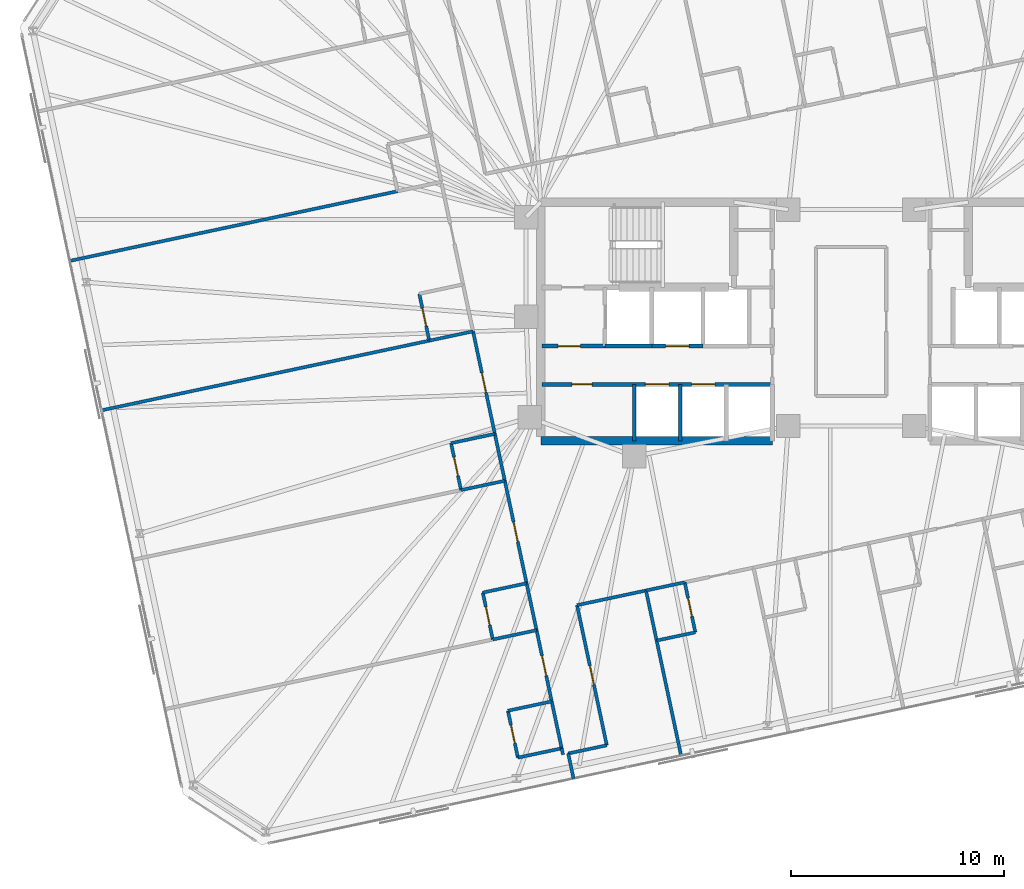
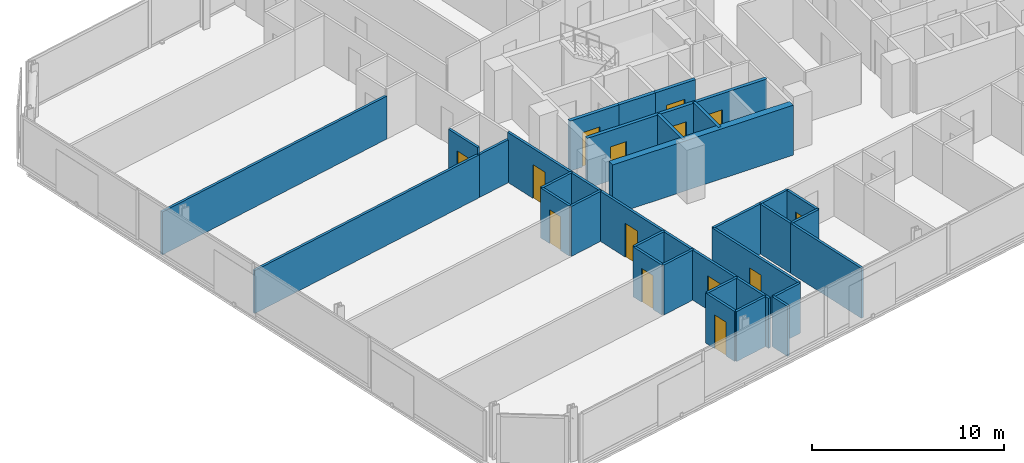
# One storey, part 14 of 20: 36 walls, 14 doors, 14 openings.
"""IFC4 building model written with IfcOpenShell, lengths in metres."""

from ifc_helpers import new_model, si_unit, direction, frame, frame_2d, origin, place, context, subcontext, project, spatial, rectangle, extrude, material, layer, layer_set, type_object, element, fill, save


model = new_model("IFC4")

# Units and contexts
model_context = context("Model", 3, precision=1e-05, world=origin(), true_north=direction((0.0, 1.0)))
body_context = subcontext(model_context, "Body", "Model", "MODEL_VIEW")
ifc_project = project(units=[si_unit("LENGTHUNIT", "METRE"), si_unit("AREAUNIT", "SQUARE_METRE"), si_unit("VOLUMEUNIT", "CUBIC_METRE"), si_unit("PLANEANGLEUNIT", "RADIAN"), si_unit("MASSUNIT", "GRAM", prefix="KILO")], contexts=[model_context])

# Site, building, storey
site_placement = place(None, origin())
site = spatial("IfcSite", under=ifc_project, at=site_placement, CompositionType="ELEMENT")
building_placement = place(site_placement, origin())
building = spatial("IfcBuilding", under=site, at=building_placement, Name="Menara Jurai Vektor", CompositionType="ELEMENT")
storey_placement = place(building_placement, frame((0.0, 0.0, 185.39990234375)))
storey = spatial("IfcBuildingStorey", under=building, at=storey_placement, Name="L48", CompositionType="ELEMENT", Elevation=185.39990234375)

# Wall, opening, door
ifc_material_1 = material(Name="Concrete C40/50", Category="concrete")
ifc_layer_1 = layer(ifc_material_1, 0.25)
ifc_layer_set_1 = layer_set([ifc_layer_1], Name="Concrete C40/50")
wall_type_1 = type_object("IfcWallType", Name="INT-WALL-CORE-250", PredefinedType="STANDARD", material=ifc_layer_set_1)
wall_1_placement = place(storey_placement, frame((-14.5, -1.14990234375, 0.0), z_axis=(0.0, 0.0, 1.0), x_axis=(1.0, 0.0, 0.0)))
wall_1 = element("IfcWall", 1, at=wall_1_placement, inside=storey, type_object=wall_type_1, Name="Interior Wall IW-250 L48", PredefinedType="STANDARD", context=body_context, shape_type="SweptSolid", body=[
    extrude(rectangle(XDim=2.949951171875, YDim=0.199951171875, at=frame_2d((1.47509765625, 0.0))), origin(), (0.0, 0.0, 1.0), 3.175048828125),
])
opening_1_placement = place(wall_1_placement, frame((0.75, 0.0, 0.0)))
opening_1 = element("IfcOpeningElement", 2, at=opening_1_placement, cuts=wall_1, Name="Opening D-L48-FFW", PredefinedType="OPENING", context=body_context, shape_type="SweptSolid", body=[
    extrude(rectangle(XDim=1.050048828125, YDim=2.179931640625, at=frame_2d((0.52490234375, 1.08984375))), frame((0.0, 0.10986328125, 0.0), z_axis=(0.0, -1.0, 0.0), x_axis=(1.0, 0.0, 0.0)), (0.0, 0.0, 1.0), 0.219970703125),
])
ifc_material_2 = material(Name="Fire-Rated Timber Door", Category="wood")
door_type_1 = type_object("IfcDoorType", Name="DR-LOBBY-1050", OperationType="NOTDEFINED", PredefinedType="DOOR", material=ifc_material_2)
door_1_placement = place(opening_1_placement, origin())
door_1 = element("IfcDoor", 3, at=door_1_placement, inside=storey, type_object=door_type_1, Name="Fire Lift Lobby Door W L48", OperationType="SINGLE_SWING_RIGHT", OverallHeight=2.179931640625, OverallWidth=1.050048828125, PredefinedType="DOOR", context=body_context, shape_type="SweptSolid", body=[
    extrude(rectangle(XDim=1.050048828125, YDim=2.179931640625, at=frame_2d((0.52490234375, 1.08984375))), frame((0.0, 0.02490234375, 0.0), z_axis=(0.0, -1.0, 0.0), x_axis=(1.0, 0.0, 0.0)), (0.0, 0.0, 1.0), 0.050048828125),
])
fill(opening_1, door_1)

# Walls
wall_2_placement = place(storey_placement, frame((-11.550048828125, -1.14990234375, 0.0), z_axis=(0.0, 0.0, 1.0), x_axis=(1.0, 0.0, 0.0)))
element("IfcWall", 4, at=wall_2_placement, inside=storey, type_object=wall_type_1, Name="Interior Wall IW-250 L48", PredefinedType="STANDARD", context=body_context, shape_type="SweptSolid", body=[
    extrude(rectangle(XDim=2.199951171875, YDim=0.199951171875, at=frame_2d((1.10009765625, 0.0))), origin(), (0.0, 0.0, 1.0), 3.175048828125),
])
ifc_material_3 = material(Name="Gypsum Fireboard Partition", Category="gypsum")
ifc_layer_2 = layer(ifc_material_3, 0.14990234375)
ifc_layer_set_2 = layer_set([ifc_layer_2], Name="Gypsum Fireboard Partition")
wall_type_2 = type_object("IfcWallType", Name="INT-WALL-CORR-150", PredefinedType="PARTITIONING", material=ifc_layer_set_2)
wall_3_placement = place(storey_placement, frame((-13.274169921875, -20.264892578125, 0.0), z_axis=(0.0, 0.0, 1.0), x_axis=(0.978160192495, 0.207852442415, 0.0)))
element("IfcWall", 5, at=wall_3_placement, inside=storey, type_object=wall_type_2, Name="Interior Wall IW-150 L48", PredefinedType="PARTITIONING", context=body_context, shape_type="SweptSolid", body=[
    extrude(rectangle(XDim=1.849853515625, YDim=0.14990234375, at=frame_2d((0.9248046875, 0.0))), origin(), (0.0, 0.0, 1.0), 3.175048828125),
])

# Wall, opening, door
wall_4_placement = place(storey_placement, frame((-11.464599609375, -19.88037109375, 0.0), z_axis=(0.0, 0.0, 1.0), x_axis=(-0.207916109912, 0.978146661416, 0.0)))
wall_4 = element("IfcWall", 6, at=wall_4_placement, inside=storey, type_object=wall_type_2, Name="Interior Wall IW-150 L48", PredefinedType="PARTITIONING", context=body_context, shape_type="SweptSolid", body=[
    extrude(rectangle(XDim=6.72021484375, YDim=0.14990234375, at=frame_2d((3.360107421875, 0.0))), origin(), (0.0, 0.0, 1.0), 3.175048828125),
])
opening_2_placement = place(wall_4_placement, frame((2.89990234375, 0.0, 0.0)))
opening_2 = element("IfcOpeningElement", 7, at=opening_2_placement, cuts=wall_4, Name="Opening D48-19", PredefinedType="OPENING", context=body_context, shape_type="SweptSolid", body=[
    extrude(rectangle(XDim=0.919921875, YDim=2.14990234375, at=frame_2d((0.4599609375, 1.074951171875))), frame((0.0, 0.0849609375, 0.0), z_axis=(0.0, -1.0, 0.0), x_axis=(1.0, 0.0, 0.0)), (0.0, 0.0, 1.0), 0.169921875),
])
ifc_material_4 = material(Name="Solid Core Timber Fire Door", Category="wood")
door_type_2 = type_object("IfcDoorType", Name="DR-ENTRY-950", OperationType="NOTDEFINED", PredefinedType="DOOR", material=ifc_material_4)
door_2_placement = place(opening_2_placement, origin())
door_2 = element("IfcDoor", 8, at=door_2_placement, inside=storey, type_object=door_type_2, Name="Interior Door D48-19", OperationType="SINGLE_SWING_RIGHT", OverallHeight=2.14990234375, OverallWidth=0.919921875, PredefinedType="DOOR", context=body_context, shape_type="SweptSolid", body=[
    extrude(rectangle(XDim=0.919921875, YDim=2.14990234375, at=frame_2d((0.4599609375, 1.074951171875))), frame((0.0, 0.02490234375, 0.0), z_axis=(0.0, -1.0, 0.0), x_axis=(1.0, 0.0, 0.0)), (0.0, 0.0, 1.0), 0.050048828125),
])
fill(opening_2, door_2)

# Walls
wall_5_placement = place(storey_placement, frame((-12.86181640625, -13.30712890625, 0.0), z_axis=(0.0, 0.0, 1.0), x_axis=(0.978148724447, 0.207906404095, 0.0)))
element("IfcWall", 9, at=wall_5_placement, inside=storey, type_object=wall_type_2, Name="Interior Wall IW-150 L48", PredefinedType="PARTITIONING", context=body_context, shape_type="SweptSolid", body=[
    extrude(rectangle(XDim=3.30908203125, YDim=0.14990234375, at=frame_2d((1.654541015625, 0.0))), origin(), (0.0, 0.0, 1.0), 3.175048828125),
])
wall_6_placement = place(storey_placement, frame((-9.625, -12.619140625, 0.0), z_axis=(0.0, 0.0, 1.0), x_axis=(0.978132112624, 0.207984543303, 0.0)))
element("IfcWall", 10, at=wall_6_placement, inside=storey, type_object=wall_type_2, Name="Interior Wall IW-150 L48", PredefinedType="PARTITIONING", context=body_context, shape_type="SweptSolid", body=[
    extrude(rectangle(XDim=1.85693359375, YDim=0.14990234375, at=frame_2d((0.928466796875, 0.0))), origin(), (0.0, 0.0, 1.0), 3.175048828125),
])
wall_7_placement = place(storey_placement, frame((-13.518798828125, -20.31689453125, 0.0), z_axis=(0.0, 0.0, 1.0), x_axis=(-0.207527808066, 0.978229118806, 0.0)))
element("IfcWall", 11, at=wall_7_placement, inside=storey, type_object=wall_type_2, Name="Interior Wall IW-150 L48", PredefinedType="PARTITIONING", context=body_context, shape_type="SweptSolid", body=[
    extrude(rectangle(XDim=0.300048828125, YDim=0.14990234375, at=frame_2d((0.14990234375, 0.0))), origin(), (0.0, 0.0, 1.0), 3.175048828125),
])

# Wall, opening, door
wall_8_placement = place(storey_placement, frame((-14.048828125, -17.822509765625, 0.0), z_axis=(0.0, 0.0, 1.0), x_axis=(-0.207918572776, 0.978146137903, 0.0)))
wall_8 = element("IfcWall", 12, at=wall_8_placement, inside=storey, type_object=wall_type_2, Name="Interior Wall IW-150 L48", PredefinedType="PARTITIONING", context=body_context, shape_type="SweptSolid", body=[
    extrude(rectangle(XDim=3.4169921875, YDim=0.14990234375, at=frame_2d((1.70849609375, 0.0))), origin(), (0.0, 0.0, 1.0), 3.175048828125),
])
opening_3_placement = place(wall_8_placement, frame((1.2333984375, 0.0, 0.0)))
opening_3 = element("IfcOpeningElement", 13, at=opening_3_placement, cuts=wall_8, Name="Opening D48-30", PredefinedType="OPENING", context=body_context, shape_type="SweptSolid", body=[
    extrude(rectangle(XDim=0.949951171875, YDim=2.14990234375, at=frame_2d((0.47509765625, 1.074951171875))), frame((0.0, 0.0849609375, 0.0), z_axis=(0.0, -1.0, 0.0), x_axis=(1.0, 0.0, 0.0)), (0.0, 0.0, 1.0), 0.169921875),
])
door_3_placement = place(opening_3_placement, origin())
door_3 = element("IfcDoor", 14, at=door_3_placement, inside=storey, type_object=door_type_2, Name="Interior Door D48-30", OperationType="SINGLE_SWING_LEFT", OverallHeight=2.14990234375, OverallWidth=0.949951171875, PredefinedType="DOOR", context=body_context, shape_type="SweptSolid", body=[
    extrude(rectangle(XDim=0.949951171875, YDim=2.14990234375, at=frame_2d((0.47509765625, 1.074951171875))), frame((0.0, 0.02490234375, 0.0), z_axis=(0.0, -1.0, 0.0), x_axis=(1.0, 0.0, 0.0)), (0.0, 0.0, 1.0), 0.050048828125),
])
fill(opening_3, door_3)

# Wall
wall_9_placement = place(storey_placement, frame((-13.5810546875, -20.0234375, 0.0), z_axis=(0.0, 0.0, 1.0), x_axis=(-0.207891197838, 0.978151956427, 0.0)))
element("IfcWall", 15, at=wall_9_placement, inside=storey, type_object=wall_type_2, Name="Interior Wall IW-150 L48", PredefinedType="PARTITIONING", context=body_context, shape_type="SweptSolid", body=[
    extrude(rectangle(XDim=2.25, YDim=0.14990234375, at=frame_2d((1.125, 0.0))), origin(), (0.0, 0.0, 1.0), 3.175048828125),
])

# Wall, opening, door
wall_10_placement = place(storey_placement, frame((-15.22705078125, -12.279296875, 0.0), z_axis=(0.0, 0.0, 1.0), x_axis=(-0.20794488256, 0.978140545023, 0.0)))
wall_10 = element("IfcWall", 16, at=wall_10_placement, inside=storey, type_object=wall_type_2, Name="Interior Wall IW-150 L48", PredefinedType="PARTITIONING", context=body_context, shape_type="SweptSolid", body=[
    extrude(rectangle(XDim=4.915771484375, YDim=0.14990234375, at=frame_2d((2.4580078125, 0.0))), origin(), (0.0, 0.0, 1.0), 3.175048828125),
])
opening_4_placement = place(wall_10_placement, frame((1.98291015625, 0.0, 0.0)))
opening_4 = element("IfcOpeningElement", 17, at=opening_4_placement, cuts=wall_10, Name="Opening D48-32", PredefinedType="OPENING", context=body_context, shape_type="SweptSolid", body=[
    extrude(rectangle(XDim=0.949951171875, YDim=2.14990234375, at=frame_2d((0.47509765625, 1.074951171875))), frame((0.0, 0.0849609375, 0.0), z_axis=(0.0, -1.0, 0.0), x_axis=(1.0, 0.0, 0.0)), (0.0, 0.0, 1.0), 0.169921875),
])
door_4_placement = place(opening_4_placement, origin())
door_4 = element("IfcDoor", 18, at=door_4_placement, inside=storey, type_object=door_type_2, Name="Interior Door D48-32", OperationType="SINGLE_SWING_LEFT", OverallHeight=2.14990234375, OverallWidth=0.949951171875, PredefinedType="DOOR", context=body_context, shape_type="SweptSolid", body=[
    extrude(rectangle(XDim=0.949951171875, YDim=2.14990234375, at=frame_2d((0.47509765625, 1.074951171875))), frame((0.0, 0.02490234375, 0.0), z_axis=(0.0, -1.0, 0.0), x_axis=(1.0, 0.0, 0.0)), (0.0, 0.0, 1.0), 0.050048828125),
])
fill(opening_4, door_4)

# Wall
wall_11_placement = place(storey_placement, frame((-14.75927734375, -14.480224609375, 0.0), z_axis=(0.0, 0.0, 1.0), x_axis=(-0.207891197838, 0.978151956427, 0.0)))
element("IfcWall", 19, at=wall_11_placement, inside=storey, type_object=wall_type_2, Name="Interior Wall IW-150 L48", PredefinedType="PARTITIONING", context=body_context, shape_type="SweptSolid", body=[
    extrude(rectangle(XDim=2.25, YDim=0.14990234375, at=frame_2d((1.125, 0.0))), origin(), (0.0, 0.0, 1.0), 3.175048828125),
])

# Wall, opening, door
wall_12_placement = place(storey_placement, frame((-16.717041015625, -5.27001953125, 0.0), z_axis=(0.0, 0.0, 1.0), x_axis=(-0.207894386012, 0.978151278824, 0.0)))
wall_12 = element("IfcWall", 20, at=wall_12_placement, inside=storey, type_object=wall_type_2, Name="Interior Wall IW-150 L48", PredefinedType="PARTITIONING", context=body_context, shape_type="SweptSolid", body=[
    extrude(rectangle(XDim=4.9169921875, YDim=0.14990234375, at=frame_2d((2.45849609375, 0.0))), origin(), (0.0, 0.0, 1.0), 3.175048828125),
])
opening_5_placement = place(wall_12_placement, frame((1.9833984375, 0.0, 0.0)))
opening_5 = element("IfcOpeningElement", 21, at=opening_5_placement, cuts=wall_12, Name="Opening D48-34", PredefinedType="OPENING", context=body_context, shape_type="SweptSolid", body=[
    extrude(rectangle(XDim=0.949951171875, YDim=2.14990234375, at=frame_2d((0.47509765625, 1.074951171875))), frame((0.0, 0.0849609375, 0.0), z_axis=(0.0, -1.0, 0.0), x_axis=(1.0, 0.0, 0.0)), (0.0, 0.0, 1.0), 0.169921875),
])
door_5_placement = place(opening_5_placement, origin())
door_5 = element("IfcDoor", 22, at=door_5_placement, inside=storey, type_object=door_type_2, Name="Interior Door D48-34", OperationType="SINGLE_SWING_LEFT", OverallHeight=2.14990234375, OverallWidth=0.949951171875, PredefinedType="DOOR", context=body_context, shape_type="SweptSolid", body=[
    extrude(rectangle(XDim=0.949951171875, YDim=2.14990234375, at=frame_2d((0.47509765625, 1.074951171875))), frame((0.0, 0.02490234375, 0.0), z_axis=(0.0, -1.0, 0.0), x_axis=(1.0, 0.0, 0.0)), (0.0, 0.0, 1.0), 0.050048828125),
])
fill(opening_5, door_5)

# Walls
wall_13_placement = place(storey_placement, frame((-16.249267578125, -7.470947265625, 0.0), z_axis=(0.0, 0.0, 1.0), x_axis=(-0.207891197838, 0.978151956427, 0.0)))
element("IfcWall", 23, at=wall_13_placement, inside=storey, type_object=wall_type_2, Name="Interior Wall IW-150 L48", PredefinedType="PARTITIONING", context=body_context, shape_type="SweptSolid", body=[
    extrude(rectangle(XDim=2.25, YDim=0.14990234375, at=frame_2d((1.125, 0.0))), origin(), (0.0, 0.0, 1.0), 3.175048828125),
])
wall_14_placement = place(storey_placement, frame((-7.978515625, -20.3662109375, 0.0), z_axis=(0.0, 0.0, 1.0), x_axis=(-0.20791588359, 0.978146709523, 0.0)))
element("IfcWall", 24, at=wall_14_placement, inside=storey, type_object=wall_type_2, Name="Interior Wall IW-150 L48", PredefinedType="PARTITIONING", context=body_context, shape_type="SweptSolid", body=[
    extrude(rectangle(XDim=5.52001953125, YDim=0.14990234375, at=frame_2d((2.760009765625, 0.0))), origin(), (0.0, 0.0, 1.0), 3.175048828125),
])
wall_15_placement = place(storey_placement, frame((-9.126220703125, -14.966796875, 0.0), z_axis=(0.0, 0.0, 1.0), x_axis=(-0.207819824493, 0.978167123015, 0.0)))
element("IfcWall", 25, at=wall_15_placement, inside=storey, type_object=wall_type_2, Name="Interior Wall IW-150 L48", PredefinedType="PARTITIONING", context=body_context, shape_type="SweptSolid", body=[
    extrude(rectangle(XDim=2.400146484375, YDim=0.14990234375, at=frame_2d((1.2001953125, 0.0))), origin(), (0.0, 0.0, 1.0), 3.175048828125),
])
wall_16_placement = place(storey_placement, frame((-13.024658203125, -21.438720703125, 0.0), z_axis=(0.0, 0.0, 1.0), x_axis=(-0.207917150959, 0.978146440129, 0.0)))
element("IfcWall", 26, at=wall_16_placement, inside=storey, type_object=wall_type_2, Name="Interior Wall IW-150 L48", PredefinedType="PARTITIONING", context=body_context, shape_type="SweptSolid", body=[
    extrude(rectangle(XDim=1.199951171875, YDim=0.14990234375, at=frame_2d((0.60009765625, 0.0))), origin(), (0.0, 0.0, 1.0), 3.175048828125),
])
wall_17_placement = place(storey_placement, frame((-9.126220703125, -14.966796875, 0.0), z_axis=(0.0, 0.0, 1.0), x_axis=(0.978132112624, 0.207984543303, 0.0)))
element("IfcWall", 27, at=wall_17_placement, inside=storey, type_object=wall_type_2, Name="Interior Wall IW-150 L48", PredefinedType="PARTITIONING", context=body_context, shape_type="SweptSolid", body=[
    extrude(rectangle(XDim=1.85693359375, YDim=0.14990234375, at=frame_2d((0.928466796875, 0.0))), origin(), (0.0, 0.0, 1.0), 3.175048828125),
])

# Wall, opening, door
wall_18_placement = place(storey_placement, frame((-7.309814453125, -14.58056640625, 0.0), z_axis=(0.0, 0.0, 1.0), x_axis=(-0.207819824493, 0.978167123015, 0.0)))
wall_18 = element("IfcWall", 28, at=wall_18_placement, inside=storey, type_object=wall_type_2, Name="Interior Wall IW-150 L48", PredefinedType="PARTITIONING", context=body_context, shape_type="SweptSolid", body=[
    extrude(rectangle(XDim=2.400146484375, YDim=0.14990234375, at=frame_2d((1.2001953125, 0.0))), origin(), (0.0, 0.0, 1.0), 3.175048828125),
])
opening_6_placement = place(wall_18_placement, frame((0.760009765625, 0.0, 0.0)))
opening_6 = element("IfcOpeningElement", 29, at=opening_6_placement, cuts=wall_18, Name="Opening D48-21", PredefinedType="OPENING", context=body_context, shape_type="SweptSolid", body=[
    extrude(rectangle(XDim=0.8798828125, YDim=2.14990234375, at=frame_2d((0.43994140625, 1.074951171875))), frame((0.0, 0.0849609375, 0.0), z_axis=(0.0, -1.0, 0.0), x_axis=(1.0, 0.0, 0.0)), (0.0, 0.0, 1.0), 0.169921875),
])
ifc_material_5 = material(Name="Moisture-Resistant Timber Door", Category="wood")
door_type_3 = type_object("IfcDoorType", Name="DR-BATH-880", OperationType="NOTDEFINED", PredefinedType="DOOR", material=ifc_material_5)
door_6_placement = place(opening_6_placement, origin())
door_6 = element("IfcDoor", 30, at=door_6_placement, inside=storey, type_object=door_type_3, Name="Interior Door D48-21", OperationType="SINGLE_SWING_RIGHT", OverallHeight=2.14990234375, OverallWidth=0.8798828125, PredefinedType="DOOR", context=body_context, shape_type="SweptSolid", body=[
    extrude(rectangle(XDim=0.8798828125, YDim=2.14990234375, at=frame_2d((0.43994140625, 1.074951171875))), frame((0.0, 0.02490234375, 0.0), z_axis=(0.0, -1.0, 0.0), x_axis=(1.0, 0.0, 0.0)), (0.0, 0.0, 1.0), 0.050048828125),
])
fill(opening_6, door_6)

wall_19_placement = place(storey_placement, frame((-15.63525390625, -20.4599609375, 0.0), z_axis=(0.0, 0.0, 1.0), x_axis=(-0.207913264065, 0.978147266328, 0.0)))
wall_19 = element("IfcWall", 31, at=wall_19_placement, inside=storey, type_object=wall_type_2, Name="Interior Wall IW-150 L48", PredefinedType="PARTITIONING", context=body_context, shape_type="SweptSolid", body=[
    extrude(rectangle(XDim=2.249755859375, YDim=0.14990234375, at=frame_2d((1.125, 0.0))), origin(), (0.0, 0.0, 1.0), 3.175048828125),
])
opening_7_placement = place(wall_19_placement, frame((0.68505859375, 0.0, 0.0)))
opening_7 = element("IfcOpeningElement", 32, at=opening_7_placement, cuts=wall_19, Name="Opening D48-31", PredefinedType="OPENING", context=body_context, shape_type="SweptSolid", body=[
    extrude(rectangle(XDim=0.8798828125, YDim=2.14990234375, at=frame_2d((0.43994140625, 1.074951171875))), frame((0.0, 0.0849609375, 0.0), z_axis=(0.0, -1.0, 0.0), x_axis=(1.0, 0.0, 0.0)), (0.0, 0.0, 1.0), 0.169921875),
])
door_7_placement = place(opening_7_placement, origin())
door_7 = element("IfcDoor", 33, at=door_7_placement, inside=storey, type_object=door_type_3, Name="Interior Door D48-31", OperationType="SINGLE_SWING_RIGHT", OverallHeight=2.14990234375, OverallWidth=0.8798828125, PredefinedType="DOOR", context=body_context, shape_type="SweptSolid", body=[
    extrude(rectangle(XDim=0.8798828125, YDim=2.14990234375, at=frame_2d((0.43994140625, 1.074951171875))), frame((0.0, 0.02490234375, 0.0), z_axis=(0.0, -1.0, 0.0), x_axis=(1.0, 0.0, 0.0)), (0.0, 0.0, 1.0), 0.050048828125),
])
fill(opening_7, door_7)

# Walls
for number, where, z_axis, x_axis, name in (
    (34, (-15.63525390625, -20.4599609375, 0.0), (0.0, 0.0, 1.0), (0.97815826, 0.207861536591, 0.0), "Interior Wall IW-150 L48"),
    (35, (-16.10302734375, -18.25927734375, 0.0), (0.0, 0.0, 1.0), (0.978134617382, 0.207972763311, 0.0), "Interior Wall IW-150 L48"),
    (36, (-16.8134765625, -14.9169921875, 0.0), (0.0, 0.0, 1.0), (0.978134617382, 0.207972763311, 0.0), "Interior Wall IW-150 L48"),
):
    element("IfcWall", number, at=place(storey_placement, frame(where, z_axis=z_axis, x_axis=x_axis)), inside=storey, type_object=wall_type_2, Name=name, PredefinedType="PARTITIONING", context=body_context, shape_type="SweptSolid", body=[
        extrude(rectangle(XDim=2.10009765625, YDim=0.14990234375, at=frame_2d((1.050048828125, 0.0))), origin(), (0.0, 0.0, 1.0), 3.175048828125),
    ])

# Wall, opening, door
wall_20_placement = place(storey_placement, frame((-16.8134765625, -14.9169921875, 0.0), z_axis=(0.0, 0.0, 1.0), x_axis=(-0.207891197838, 0.978151956427, 0.0)))
wall_20 = element("IfcWall", 37, at=wall_20_placement, inside=storey, type_object=wall_type_2, Name="Interior Wall IW-150 L48", PredefinedType="PARTITIONING", context=body_context, shape_type="SweptSolid", body=[
    extrude(rectangle(XDim=2.25, YDim=0.14990234375, at=frame_2d((1.125, 0.0))), origin(), (0.0, 0.0, 1.0), 3.175048828125),
])
opening_8_placement = place(wall_20_placement, frame((0.68505859375, 0.0, 0.0)))
opening_8 = element("IfcOpeningElement", 38, at=opening_8_placement, cuts=wall_20, Name="Opening D48-33", PredefinedType="OPENING", context=body_context, shape_type="SweptSolid", body=[
    extrude(rectangle(XDim=0.8798828125, YDim=2.14990234375, at=frame_2d((0.43994140625, 1.074951171875))), frame((0.0, 0.0849609375, 0.0), z_axis=(0.0, -1.0, 0.0), x_axis=(1.0, 0.0, 0.0)), (0.0, 0.0, 1.0), 0.169921875),
])
door_8_placement = place(opening_8_placement, origin())
door_8 = element("IfcDoor", 39, at=door_8_placement, inside=storey, type_object=door_type_3, Name="Interior Door D48-33", OperationType="SINGLE_SWING_RIGHT", OverallHeight=2.14990234375, OverallWidth=0.8798828125, PredefinedType="DOOR", context=body_context, shape_type="SweptSolid", body=[
    extrude(rectangle(XDim=0.8798828125, YDim=2.14990234375, at=frame_2d((0.43994140625, 1.074951171875))), frame((0.0, 0.02490234375, 0.0), z_axis=(0.0, -1.0, 0.0), x_axis=(1.0, 0.0, 0.0)), (0.0, 0.0, 1.0), 0.050048828125),
])
fill(opening_8, door_8)

# Walls
wall_21_placement = place(storey_placement, frame((-17.28125, -12.716064453125, 0.0), z_axis=(0.0, 0.0, 1.0), x_axis=(0.978134617382, 0.207972763311, 0.0)))
element("IfcWall", 40, at=wall_21_placement, inside=storey, type_object=wall_type_2, Name="Interior Wall IW-150 L48", PredefinedType="PARTITIONING", context=body_context, shape_type="SweptSolid", body=[
    extrude(rectangle(XDim=2.10009765625, YDim=0.14990234375, at=frame_2d((1.050048828125, 0.0))), origin(), (0.0, 0.0, 1.0), 3.175048828125),
])
wall_22_placement = place(storey_placement, frame((-18.30322265625, -7.907470703125, 0.0), z_axis=(0.0, 0.0, 1.0), x_axis=(0.978153236239, 0.207885176084, 0.0)))
element("IfcWall", 41, at=wall_22_placement, inside=storey, type_object=wall_type_2, Name="Interior Wall IW-150 L48", PredefinedType="PARTITIONING", context=body_context, shape_type="SweptSolid", body=[
    extrude(rectangle(XDim=2.099853515625, YDim=0.14990234375, at=frame_2d((1.0498046875, 0.0))), origin(), (0.0, 0.0, 1.0), 3.175048828125),
])

# Wall, opening, door
wall_23_placement = place(storey_placement, frame((-18.30322265625, -7.907470703125, 0.0), z_axis=(0.0, 0.0, 1.0), x_axis=(-0.207891197838, 0.978151956427, 0.0)))
wall_23 = element("IfcWall", 42, at=wall_23_placement, inside=storey, type_object=wall_type_2, Name="Interior Wall IW-150 L48", PredefinedType="PARTITIONING", context=body_context, shape_type="SweptSolid", body=[
    extrude(rectangle(XDim=2.25, YDim=0.14990234375, at=frame_2d((1.125, 0.0))), origin(), (0.0, 0.0, 1.0), 3.175048828125),
])
opening_9_placement = place(wall_23_placement, frame((0.68505859375, 0.0, 0.0)))
opening_9 = element("IfcOpeningElement", 43, at=opening_9_placement, cuts=wall_23, Name="Opening D48-35", PredefinedType="OPENING", context=body_context, shape_type="SweptSolid", body=[
    extrude(rectangle(XDim=0.8798828125, YDim=2.14990234375, at=frame_2d((0.43994140625, 1.074951171875))), frame((0.0, 0.0849609375, 0.0), z_axis=(0.0, -1.0, 0.0), x_axis=(1.0, 0.0, 0.0)), (0.0, 0.0, 1.0), 0.169921875),
])
door_9_placement = place(opening_9_placement, origin())
door_9 = element("IfcDoor", 44, at=door_9_placement, inside=storey, type_object=door_type_3, Name="Interior Door D48-35", OperationType="SINGLE_SWING_RIGHT", OverallHeight=2.14990234375, OverallWidth=0.8798828125, PredefinedType="DOOR", context=body_context, shape_type="SweptSolid", body=[
    extrude(rectangle(XDim=0.8798828125, YDim=2.14990234375, at=frame_2d((0.43994140625, 1.074951171875))), frame((0.0, 0.02490234375, 0.0), z_axis=(0.0, -1.0, 0.0), x_axis=(1.0, 0.0, 0.0)), (0.0, 0.0, 1.0), 0.050048828125),
])
fill(opening_9, door_9)

# Wall
wall_24_placement = place(storey_placement, frame((-18.77099609375, -5.70654296875, 0.0), z_axis=(0.0, 0.0, 1.0), x_axis=(0.978153236239, 0.207885176084, 0.0)))
element("IfcWall", 45, at=wall_24_placement, inside=storey, type_object=wall_type_2, Name="Interior Wall IW-150 L48", PredefinedType="PARTITIONING", context=body_context, shape_type="SweptSolid", body=[
    extrude(rectangle(XDim=2.099853515625, YDim=0.14990234375, at=frame_2d((1.0498046875, 0.0))), origin(), (0.0, 0.0, 1.0), 3.175048828125),
])

# Wall, opening, door
wall_25_placement = place(storey_placement, frame((-19.79345703125, -0.897216796875, 0.0), z_axis=(0.0, 0.0, 1.0), x_axis=(-0.207891197838, 0.978151956427, 0.0)))
wall_25 = element("IfcWall", 46, at=wall_25_placement, inside=storey, type_object=wall_type_2, Name="Interior Wall IW-150 L48", PredefinedType="PARTITIONING", context=body_context, shape_type="SweptSolid", body=[
    extrude(rectangle(XDim=2.25, YDim=0.14990234375, at=frame_2d((1.125, 0.0))), origin(), (0.0, 0.0, 1.0), 3.175048828125),
])
opening_10_placement = place(wall_25_placement, frame((0.68505859375, 0.0, 0.0)))
opening_10 = element("IfcOpeningElement", 47, at=opening_10_placement, cuts=wall_25, Name="Opening D48-37", PredefinedType="OPENING", context=body_context, shape_type="SweptSolid", body=[
    extrude(rectangle(XDim=0.8798828125, YDim=2.14990234375, at=frame_2d((0.43994140625, 1.074951171875))), frame((0.0, 0.0849609375, 0.0), z_axis=(0.0, -1.0, 0.0), x_axis=(1.0, 0.0, 0.0)), (0.0, 0.0, 1.0), 0.169921875),
])
door_10_placement = place(opening_10_placement, origin())
door_10 = element("IfcDoor", 48, at=door_10_placement, inside=storey, type_object=door_type_3, Name="Interior Door D48-37", OperationType="SINGLE_SWING_RIGHT", OverallHeight=2.14990234375, OverallWidth=0.8798828125, PredefinedType="DOOR", context=body_context, shape_type="SweptSolid", body=[
    extrude(rectangle(XDim=0.8798828125, YDim=2.14990234375, at=frame_2d((0.43994140625, 1.074951171875))), frame((0.0, 0.02490234375, 0.0), z_axis=(0.0, -1.0, 0.0), x_axis=(1.0, 0.0, 0.0)), (0.0, 0.0, 1.0), 0.050048828125),
])
fill(opening_10, door_10)

# Walls
ifc_layer_3 = layer(ifc_material_3, 0.14990234375)
ifc_layer_set_3 = layer_set([ifc_layer_3], Name="Gypsum Fireboard Partition")
wall_type_3 = type_object("IfcWallType", Name="INT-WALL-CORR-150-H1", PredefinedType="PARTITIONING", material=ifc_layer_set_3)
wall_26_placement = place(storey_placement, frame((-35.16796875, -4.1650390625, 0.0), z_axis=(0.0, 0.0, 1.0), x_axis=(0.978149296727, 0.207903711638, 0.0)))
element("IfcWall", 49, at=wall_26_placement, inside=storey, type_object=wall_type_3, Name="Interior Wall IW-150 L48", PredefinedType="PARTITIONING", context=body_context, shape_type="SweptSolid", body=[
    extrude(rectangle(XDim=15.718017578125, YDim=0.14990234375, at=frame_2d((7.85888671875, 0.0))), origin(), (0.0, 0.0, 1.0), 2.72509765625),
])
wall_27_placement = place(storey_placement, frame((-19.79345703125, -0.897216796875, 0.0), z_axis=(0.0, 0.0, 1.0), x_axis=(0.978134617382, 0.207972763311, 0.0)))
element("IfcWall", 50, at=wall_27_placement, inside=storey, type_object=wall_type_3, Name="Interior Wall IW-150 L48", PredefinedType="PARTITIONING", context=body_context, shape_type="SweptSolid", body=[
    extrude(rectangle(XDim=2.10009765625, YDim=0.14990234375, at=frame_2d((1.050048828125, 0.0))), origin(), (0.0, 0.0, 1.0), 2.72509765625),
])
wall_28_placement = place(storey_placement, frame((-36.657958984375, 2.84521484375, 0.0), z_axis=(0.0, 0.0, 1.0), x_axis=(0.978146137903, 0.207918572776, 0.0)))
element("IfcWall", 51, at=wall_28_placement, inside=storey, type_object=wall_type_3, Name="Interior Wall IW-150 L48", PredefinedType="PARTITIONING", context=body_context, shape_type="SweptSolid", body=[
    extrude(rectangle(XDim=15.718017578125, YDim=0.14990234375, at=frame_2d((7.85888671875, 0.0))), origin(), (0.0, 0.0, 1.0), 2.72509765625),
])

# Wall, opening, door
ifc_layer_4 = layer(ifc_material_1, 0.199951171875)
ifc_layer_set_4 = layer_set([ifc_layer_4], Name="Concrete C40/50")
wall_type_4 = type_object("IfcWallType", Name="INT-WALL-SHAFT-200", PredefinedType="STANDARD", material=ifc_layer_set_4)
wall_29_placement = place(storey_placement, frame((-9.35009765625, -1.14990234375, 0.0), z_axis=(0.0, 0.0, 1.0), x_axis=(1.0, 0.0, 0.0)))
wall_29 = element("IfcWall", 52, at=wall_29_placement, inside=storey, type_object=wall_type_4, Name="Interior Wall IW-200 L48", PredefinedType="STANDARD", context=body_context, shape_type="SweptSolid", body=[
    extrude(rectangle(XDim=2.400146484375, YDim=0.199951171875, at=frame_2d((1.2001953125, 0.0))), origin(), (0.0, 0.0, 1.0), 3.175048828125),
])
opening_11_placement = place(wall_29_placement, frame((0.64990234375, 0.0, 0.0)))
opening_11 = element("IfcOpeningElement", 53, at=opening_11_placement, cuts=wall_29, Name="Opening LD-L48-SVL1", PredefinedType="OPENING", context=body_context, shape_type="SweptSolid", body=[
    extrude(rectangle(XDim=1.10009765625, YDim=2.14990234375, at=frame_2d((0.550048828125, 1.074951171875))), frame((0.0, 0.10986328125, 0.0), z_axis=(0.0, -1.0, 0.0), x_axis=(1.0, 0.0, 0.0)), (0.0, 0.0, 1.0), 0.219970703125),
])
ifc_material_6 = material(Name="Anodised Stainless Sliding Lift Landing Door", Category="steel")
door_type_4 = type_object("IfcDoorType", Name="DR-LIFT-PASS-1100", OperationType="NOTDEFINED", PredefinedType="DOOR", material=ifc_material_6)
door_11_placement = place(opening_11_placement, origin())
door_11 = element("IfcDoor", 54, at=door_11_placement, inside=storey, type_object=door_type_4, Name="Lift Landing Door SVL1 L48", OperationType="SLIDING_TO_RIGHT", OverallHeight=2.14990234375, OverallWidth=1.10009765625, PredefinedType="DOOR", context=body_context, shape_type="SweptSolid", body=[
    extrude(rectangle(XDim=1.10009765625, YDim=2.14990234375, at=frame_2d((0.550048828125, 1.074951171875))), frame((0.0, 0.02490234375, 0.0), z_axis=(0.0, -1.0, 0.0), x_axis=(1.0, 0.0, 0.0)), (0.0, 0.0, 1.0), 0.050048828125),
])
fill(opening_11, door_11)

# Wall, openings, doors
wall_30_placement = place(storey_placement, frame((-14.5, -2.949951171875, 0.0), z_axis=(0.0, 0.0, 1.0), x_axis=(1.0, 0.0, 0.0)))
wall_30 = element("IfcWall", 55, at=wall_30_placement, inside=storey, type_object=wall_type_4, Name="Interior Wall IW-200 L48", PredefinedType="STANDARD", context=body_context, shape_type="SweptSolid", body=[
    extrude(rectangle(XDim=10.800048828125, YDim=0.199951171875, at=frame_2d((5.39990234375, 0.0))), origin(), (0.0, 0.0, 1.0), 3.175048828125),
])
opening_12_placement = place(wall_30_placement, frame((4.85009765625, 0.0, 0.0)))
opening_12 = element("IfcOpeningElement", 56, at=opening_12_placement, cuts=wall_30, Name="Opening LD-L48-PM1", PredefinedType="OPENING", context=body_context, shape_type="SweptSolid", body=[
    extrude(rectangle(XDim=1.10009765625, YDim=2.14990234375, at=frame_2d((0.550048828125, 1.074951171875))), frame((0.0, 0.10986328125, 0.0), z_axis=(0.0, -1.0, 0.0), x_axis=(1.0, 0.0, 0.0)), (0.0, 0.0, 1.0), 0.219970703125),
])
opening_13_placement = place(wall_30_placement, frame((7.010009765625, 0.0, 0.0)))
opening_13 = element("IfcOpeningElement", 57, at=opening_13_placement, cuts=wall_30, Name="Opening LD-L48-PM2", PredefinedType="OPENING", context=body_context, shape_type="SweptSolid", body=[
    extrude(rectangle(XDim=1.10009765625, YDim=2.14990234375, at=frame_2d((0.550048828125, 1.074951171875))), frame((0.0, 0.10986328125, 0.0), z_axis=(0.0, -1.0, 0.0), x_axis=(1.0, 0.0, 0.0)), (0.0, 0.0, 1.0), 0.219970703125),
])
opening_14_placement = place(wall_30_placement, frame((1.39990234375, 0.0, 0.0)))
opening_14 = element("IfcOpeningElement", 58, at=opening_14_placement, cuts=wall_30, Name="Opening D48-01", PredefinedType="OPENING", context=body_context, shape_type="SweptSolid", body=[
    extrude(rectangle(XDim=0.949951171875, YDim=2.14990234375, at=frame_2d((0.47509765625, 1.074951171875))), frame((0.0, 0.10986328125, 0.0), z_axis=(0.0, -1.0, 0.0), x_axis=(1.0, 0.0, 0.0)), (0.0, 0.0, 1.0), 0.219970703125),
])
door_12_placement = place(opening_14_placement, origin())
door_12 = element("IfcDoor", 59, at=door_12_placement, inside=storey, type_object=door_type_2, Name="Interior Door D48-01", OperationType="SINGLE_SWING_LEFT", OverallHeight=2.14990234375, OverallWidth=0.949951171875, PredefinedType="DOOR", context=body_context, shape_type="SweptSolid", body=[
    extrude(rectangle(XDim=0.949951171875, YDim=2.14990234375, at=frame_2d((0.47509765625, 1.074951171875))), frame((0.0, 0.02490234375, 0.0), z_axis=(0.0, -1.0, 0.0), x_axis=(1.0, 0.0, 0.0)), (0.0, 0.0, 1.0), 0.050048828125),
])
fill(opening_14, door_12)
door_13_placement = place(opening_12_placement, origin())
door_13 = element("IfcDoor", 60, at=door_13_placement, inside=storey, type_object=door_type_4, Name="Lift Landing Door PM1 L48", OperationType="SLIDING_TO_LEFT", OverallHeight=2.14990234375, OverallWidth=1.10009765625, PredefinedType="DOOR", context=body_context, shape_type="SweptSolid", body=[
    extrude(rectangle(XDim=1.10009765625, YDim=2.14990234375, at=frame_2d((0.550048828125, 1.074951171875))), frame((0.0, 0.02490234375, 0.0), z_axis=(0.0, -1.0, 0.0), x_axis=(1.0, 0.0, 0.0)), (0.0, 0.0, 1.0), 0.050048828125),
])
fill(opening_12, door_13)
door_14_placement = place(opening_13_placement, origin())
door_14 = element("IfcDoor", 61, at=door_14_placement, inside=storey, type_object=door_type_4, Name="Lift Landing Door PM2 L48", OperationType="SLIDING_TO_LEFT", OverallHeight=2.14990234375, OverallWidth=1.10009765625, PredefinedType="DOOR", context=body_context, shape_type="SweptSolid", body=[
    extrude(rectangle(XDim=1.10009765625, YDim=2.14990234375, at=frame_2d((0.550048828125, 1.074951171875))), frame((0.0, 0.02490234375, 0.0), z_axis=(0.0, -1.0, 0.0), x_axis=(1.0, 0.0, 0.0)), (0.0, 0.0, 1.0), 0.050048828125),
])
fill(opening_13, door_14)

# Walls
for number, where, z_axis, x_axis, name in (
    (62, (-10.179931640625, -5.60009765625, 0.0), (0.0, 0.0, 1.0), (0.0, 1.0, 0.0), "Interior Wall IW-200 L48"),
    (63, (-8.02001953125, -5.60009765625, 0.0), (0.0, 0.0, 1.0), (0.0, 1.0, 0.0), "Interior Wall IW-200 L48"),
):
    element("IfcWall", number, at=place(storey_placement, frame(where, z_axis=z_axis, x_axis=x_axis)), inside=storey, type_object=wall_type_4, Name=name, PredefinedType="STANDARD", context=body_context, shape_type="SweptSolid", body=[
        extrude(rectangle(XDim=2.650146484375, YDim=0.179931640625, at=frame_2d((1.3251953125, 0.0))), origin(), (0.0, 0.0, 1.0), 3.175048828125),
    ])
ifc_material_7 = material(Name="Concrete C50/60", Category="concrete")
ifc_layer_5 = layer(ifc_material_7, 0.39990234375)
ifc_layer_set_5 = layer_set([ifc_layer_5], Name="Concrete C50/60")
wall_type_5 = type_object("IfcWallType", Name="STR-WALL-CORE400", PredefinedType="SHEAR", material=ifc_layer_set_5)
wall_31_placement = place(storey_placement, frame((-14.56005859375, -5.60009765625, 0.0), z_axis=(0.0, 0.0, 1.0), x_axis=(1.0, 0.0, 0.0)))
element("IfcWall", 64, at=wall_31_placement, inside=storey, type_object=wall_type_5, Name="Core Shear Wall CW-W-S L48", PredefinedType="SHEAR", context=body_context, shape_type="SweptSolid", body=[
    extrude(rectangle(XDim=10.860107421875, YDim=0.39990234375, at=frame_2d((5.43017578125, 0.0))), origin(), (0.0, 0.0, 1.0), 3.175048828125),
])

save(model, "model.ifc")
